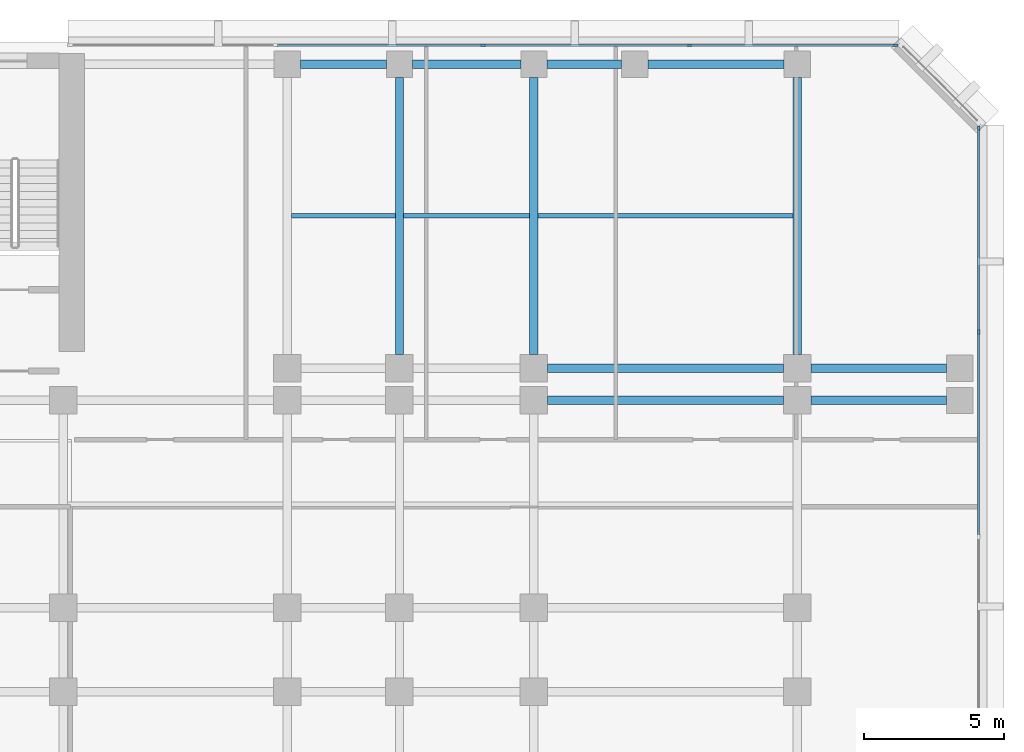
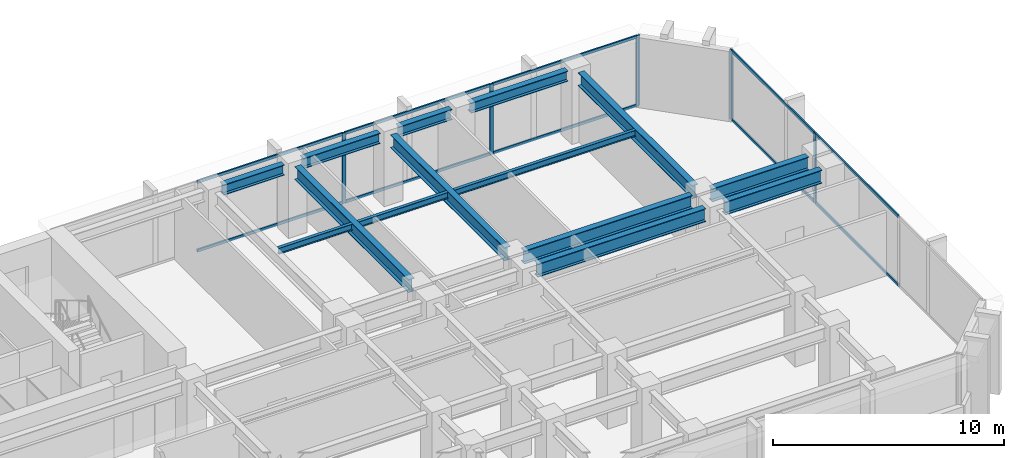
# One storey, part 5 of 13: 15 members, 14 beams, 2 elements without a shape of their own.
"""IFC4 building model written with IfcOpenShell, lengths in metres."""

from ifc_helpers import new_model, si_unit, direction, frame, origin, origin_2d, place, context, subcontext, project, spatial, rectangle, i_section, extrude, material, layer, layer_set, material_profile, profile_set, type_object, element, aggregate, save


model = new_model("IFC4")

# Units and contexts
model_context = context("Model", 3, precision=1e-05, world=origin(), true_north=direction((0.0, 1.0)))
body_context = subcontext(model_context, "Body", "Model", "MODEL_VIEW")
ifc_project = project(units=[si_unit("LENGTHUNIT", "METRE"), si_unit("AREAUNIT", "SQUARE_METRE"), si_unit("VOLUMEUNIT", "CUBIC_METRE"), si_unit("PLANEANGLEUNIT", "RADIAN"), si_unit("MASSUNIT", "GRAM", prefix="KILO")], contexts=[model_context])

# Site, building, storey
site_placement = place(None, origin())
site = spatial("IfcSite", under=ifc_project, at=site_placement, CompositionType="ELEMENT")
building_placement = place(site_placement, origin())
building = spatial("IfcBuilding", under=site, at=building_placement, Name="Kefirva Bronze Tower", CompositionType="ELEMENT")
storey_placement = place(building_placement, frame((0.0, 0.0, 73.919921875)))
storey = spatial("IfcBuildingStorey", under=building, at=storey_placement, Name="L17", CompositionType="ELEMENT", Elevation=73.919921875)

# Curtain wall, members
ifc_material_1 = material(Name="Bronze anodised aluminium", Category="aluminium")
ifc_layer = layer(ifc_material_1, 0.199951171875, Name="Bronze anodised aluminium")
ifc_layer_set = layer_set([ifc_layer], Name="Bronze anodised aluminium")
curtain_wall_type = type_object("IfcCurtainWallType", Name="Unitised Bronze Ribbon Curtain Wall Zone 1", PredefinedType="USERDEFINED", material=ifc_layer_set)
curtain_wall_1_placement = place(storey_placement, origin())
curtain_wall_1 = element("IfcCurtainWall", 1, at=curtain_wall_1_placement, inside=storey, type_object=curtain_wall_type, Name="L17 Curtain Wall 3", ObjectType="UNITISED CURTAIN WALL", PredefinedType="USERDEFINED")
ifc_material_profile_1 = material_profile(ifc_material_1, rectangle(XDim=0.074951171875, YDim=0.179931640625, at=origin_2d()), Name="ALU 75x180")
ifc_profile_set_1 = profile_set([ifc_material_profile_1], Name="Bronze anodised aluminium")
member_type_1 = type_object("IfcMemberType", Name="Bronze Mullion 75x180", PredefinedType="MULLION", material=ifc_profile_set_1)
member_1_placement = place(storey_placement, frame((55.8798828125, 35.6484375, 0.0), z_axis=(0.0, 0.0, 1.0), x_axis=(-1.0, 0.0, 0.0)))
member_1 = element("IfcMember", 2, at=member_1_placement, type_object=member_type_1, Name="CW-01 mullion 3", PredefinedType="MULLION", context=body_context, shape_type="SweptSolid", body=[
    extrude(rectangle(XDim=0.074951171875, YDim=0.179931640625, at=origin_2d()), origin(), (0.0, 0.0, 1.0), 3.7099609375),
])
member_2_placement = place(storey_placement, frame((55.8798828125, 42.907470703125, 0.0), z_axis=(0.0, 0.0, 1.0), x_axis=(-1.0, 0.0, 0.0)))
member_2 = element("IfcMember", 3, at=member_2_placement, type_object=member_type_1, Name="CW-01 mullion 4", PredefinedType="MULLION", context=body_context, shape_type="SweptSolid", body=[
    extrude(rectangle(XDim=0.074951171875, YDim=0.179931640625, at=origin_2d()), origin(), (0.0, 0.0, 1.0), 3.7099609375),
])

curtain_wall_2_placement = place(storey_placement, origin())
curtain_wall_2 = element("IfcCurtainWall", 4, at=curtain_wall_2_placement, inside=storey, type_object=curtain_wall_type, Name="L17 Curtain Wall 4", ObjectType="UNITISED CURTAIN WALL", PredefinedType="USERDEFINED")
member_3_placement = place(storey_placement, frame((52.907470703125, 45.8798828125, 0.0), z_axis=(0.0, 0.0, 1.0), x_axis=(0.0, -1.0, 0.0)))
member_3 = element("IfcMember", 5, at=member_3_placement, type_object=member_type_1, Name="CW-01 mullion 1", PredefinedType="MULLION", context=body_context, shape_type="SweptSolid", body=[
    extrude(rectangle(XDim=0.074951171875, YDim=0.179931640625, at=origin_2d()), origin(), (0.0, 0.0, 1.0), 3.7099609375),
])
member_4_placement = place(storey_placement, frame((45.56005859375, 45.8798828125, 0.0), z_axis=(0.0, 0.0, 1.0), x_axis=(0.0, -1.0, 0.0)))
member_4 = element("IfcMember", 6, at=member_4_placement, type_object=member_type_1, Name="CW-01 mullion 2", PredefinedType="MULLION", context=body_context, shape_type="SweptSolid", body=[
    extrude(rectangle(XDim=0.074951171875, YDim=0.179931640625, at=origin_2d()), origin(), (0.0, 0.0, 1.0), 3.7099609375),
])
member_5_placement = place(storey_placement, frame((38.175048828125, 45.8798828125, 0.0), z_axis=(0.0, 0.0, 1.0), x_axis=(0.0, -1.0, 0.0)))
member_5 = element("IfcMember", 7, at=member_5_placement, type_object=member_type_1, Name="CW-01 mullion 3", PredefinedType="MULLION", context=body_context, shape_type="SweptSolid", body=[
    extrude(rectangle(XDim=0.074951171875, YDim=0.179931640625, at=origin_2d()), origin(), (0.0, 0.0, 1.0), 3.7099609375),
])

# Member
ifc_material_profile_2 = material_profile(ifc_material_1, rectangle(XDim=0.074951171875, YDim=0.14990234375, at=origin_2d()), Name="ALU 75x150")
ifc_profile_set_2 = profile_set([ifc_material_profile_2], Name="Bronze anodised aluminium")
member_type_2 = type_object("IfcMemberType", Name="Bronze Transom 75x150", PredefinedType="USERDEFINED", material=ifc_profile_set_2)
member_6_placement = place(storey_placement, frame((55.8798828125, 28.38916015625, 0.03759765625), z_axis=(0.0, 1.0, 0.0), x_axis=(-1.0, 0.0, 0.0)))
member_6 = element("IfcMember", 8, at=member_6_placement, type_object=member_type_2, Name="CW-01 transom 2.1", ObjectType="TRANSOM", PredefinedType="USERDEFINED", context=body_context, shape_type="SweptSolid", body=[
    extrude(rectangle(XDim=0.074951171875, YDim=0.14990234375, at=origin_2d()), origin(), (0.0, 0.0, 1.0), 7.2216796875),
])

member_7_placement = place(storey_placement, frame((55.8798828125, 28.38916015625, 3.672607421875), z_axis=(0.0, 1.0, 0.0), x_axis=(-1.0, 0.0, 0.0)))
member_7 = element("IfcMember", 9, at=member_7_placement, type_object=member_type_2, Name="CW-01 transom 2.2", ObjectType="TRANSOM", PredefinedType="USERDEFINED", context=body_context, shape_type="SweptSolid", body=[
    extrude(rectangle(XDim=0.074951171875, YDim=0.14990234375, at=origin_2d()), origin(), (0.0, 0.0, 1.0), 7.2216796875),
])

member_8_placement = place(storey_placement, frame((55.8798828125, 35.685791015625, 0.03759765625), z_axis=(0.0, 1.0, 0.0), x_axis=(-1.0, 0.0, 0.0)))
member_8 = element("IfcMember", 10, at=member_8_placement, type_object=member_type_2, Name="CW-01 transom 3.1", ObjectType="TRANSOM", PredefinedType="USERDEFINED", context=body_context, shape_type="SweptSolid", body=[
    extrude(rectangle(XDim=0.074951171875, YDim=0.14990234375, at=origin_2d()), origin(), (0.0, 0.0, 1.0), 7.184326171875),
])

member_9_placement = place(storey_placement, frame((55.8798828125, 35.685791015625, 3.672607421875), z_axis=(0.0, 1.0, 0.0), x_axis=(-1.0, 0.0, 0.0)))
member_9 = element("IfcMember", 11, at=member_9_placement, type_object=member_type_2, Name="CW-01 transom 3.2", ObjectType="TRANSOM", PredefinedType="USERDEFINED", context=body_context, shape_type="SweptSolid", body=[
    extrude(rectangle(XDim=0.074951171875, YDim=0.14990234375, at=origin_2d()), origin(), (0.0, 0.0, 1.0), 7.184326171875),
])

aggregate(curtain_wall_1, [member_1, member_2, member_6, member_7, member_8, member_9])

member_10_placement = place(storey_placement, frame((52.8701171875, 45.8798828125, 0.03759765625), z_axis=(-1.0, 0.0, 0.0), x_axis=(0.0, -1.0, 0.0)))
member_10 = element("IfcMember", 12, at=member_10_placement, type_object=member_type_2, Name="CW-01 transom 1.1", ObjectType="TRANSOM", PredefinedType="USERDEFINED", context=body_context, shape_type="SweptSolid", body=[
    extrude(rectangle(XDim=0.074951171875, YDim=0.14990234375, at=origin_2d()), origin(), (0.0, 0.0, 1.0), 7.272705078125),
])

member_11_placement = place(storey_placement, frame((52.8701171875, 45.8798828125, 3.672607421875), z_axis=(-1.0, 0.0, 0.0), x_axis=(0.0, -1.0, 0.0)))
member_11 = element("IfcMember", 13, at=member_11_placement, type_object=member_type_2, Name="CW-01 transom 1.2", ObjectType="TRANSOM", PredefinedType="USERDEFINED", context=body_context, shape_type="SweptSolid", body=[
    extrude(rectangle(XDim=0.074951171875, YDim=0.14990234375, at=origin_2d()), origin(), (0.0, 0.0, 1.0), 7.272705078125),
])

member_12_placement = place(storey_placement, frame((45.5224609375, 45.8798828125, 0.03759765625), z_axis=(-1.0, 0.0, 0.0), x_axis=(0.0, -1.0, 0.0)))
member_12 = element("IfcMember", 14, at=member_12_placement, type_object=member_type_2, Name="CW-01 transom 2.1", ObjectType="TRANSOM", PredefinedType="USERDEFINED", context=body_context, shape_type="SweptSolid", body=[
    extrude(rectangle(XDim=0.074951171875, YDim=0.14990234375, at=origin_2d()), origin(), (0.0, 0.0, 1.0), 7.31005859375),
])

member_13_placement = place(storey_placement, frame((45.5224609375, 45.8798828125, 3.672607421875), z_axis=(-1.0, 0.0, 0.0), x_axis=(0.0, -1.0, 0.0)))
member_13 = element("IfcMember", 15, at=member_13_placement, type_object=member_type_2, Name="CW-01 transom 2.2", ObjectType="TRANSOM", PredefinedType="USERDEFINED", context=body_context, shape_type="SweptSolid", body=[
    extrude(rectangle(XDim=0.074951171875, YDim=0.14990234375, at=origin_2d()), origin(), (0.0, 0.0, 1.0), 7.31005859375),
])

member_14_placement = place(storey_placement, frame((38.137451171875, 45.8798828125, 0.03759765625), z_axis=(-1.0, 0.0, 0.0), x_axis=(0.0, -1.0, 0.0)))
member_14 = element("IfcMember", 16, at=member_14_placement, type_object=member_type_2, Name="CW-01 transom 3.1", ObjectType="TRANSOM", PredefinedType="USERDEFINED", context=body_context, shape_type="SweptSolid", body=[
    extrude(rectangle(XDim=0.074951171875, YDim=0.14990234375, at=origin_2d()), origin(), (0.0, 0.0, 1.0), 7.31005859375),
])

member_15_placement = place(storey_placement, frame((38.137451171875, 45.8798828125, 3.672607421875), z_axis=(-1.0, 0.0, 0.0), x_axis=(0.0, -1.0, 0.0)))
member_15 = element("IfcMember", 17, at=member_15_placement, type_object=member_type_2, Name="CW-01 transom 3.2", ObjectType="TRANSOM", PredefinedType="USERDEFINED", context=body_context, shape_type="SweptSolid", body=[
    extrude(rectangle(XDim=0.074951171875, YDim=0.14990234375, at=origin_2d()), origin(), (0.0, 0.0, 1.0), 7.31005859375),
])

aggregate(curtain_wall_2, [member_3, member_4, member_5, member_10, member_11, member_12, member_13, member_14, member_15])

# Beams
ifc_material_2 = material(Name="Steel S355", Category="steel")
ifc_material_profile_3 = material_profile(ifc_material_2, i_section(OverallWidth=0.159912109375, OverallDepth=0.330078125, WebThickness=0.007568359375, FlangeThickness=0.011474609375, at=origin_2d()), Name="IPE 330")
ifc_profile_set_3 = profile_set([ifc_material_profile_3], Name="Steel S355")
beam_type_1 = type_object("IfcBeamType", Name="Steel Floor Joist IPE 330", PredefinedType="JOIST", material=ifc_profile_set_3)
beam_1_placement = place(storey_placement, frame((31.35009765625, 39.784912109375, 3.545166015625), z_axis=(1.0, 0.0, 0.0), x_axis=(0.0, 1.0, 0.0)))
element("IfcBeam", 18, at=beam_1_placement, inside=storey, type_object=beam_type_1, Name="L17 JST-L17-31-397", PredefinedType="JOIST", context=body_context, shape_type="SweptSolid", body=[
    extrude(i_section(OverallWidth=0.159912109375, OverallDepth=0.330078125, WebThickness=0.007568359375, FlangeThickness=0.011474609375, at=origin_2d()), origin(), (0.0, 0.0, 1.0), 3.699951171875),
])
beam_2_placement = place(storey_placement, frame((35.35009765625, 39.784912109375, 3.545166015625), z_axis=(1.0, 0.0, 0.0), x_axis=(0.0, 1.0, 0.0)))
element("IfcBeam", 19, at=beam_2_placement, inside=storey, type_object=beam_type_1, Name="L17 JST-L17-35-397", PredefinedType="JOIST", context=body_context, shape_type="SweptSolid", body=[
    extrude(i_section(OverallWidth=0.159912109375, OverallDepth=0.330078125, WebThickness=0.007568359375, FlangeThickness=0.011474609375, at=origin_2d()), origin(), (0.0, 0.0, 1.0), 4.5),
])
beam_3_placement = place(storey_placement, frame((40.14990234375, 39.784912109375, 3.545166015625), z_axis=(1.0, 0.0, 0.0), x_axis=(0.0, 1.0, 0.0)))
element("IfcBeam", 20, at=beam_3_placement, inside=storey, type_object=beam_type_1, Name="L17 JST-L17-40-397", PredefinedType="JOIST", context=body_context, shape_type="SweptSolid", body=[
    extrude(i_section(OverallWidth=0.159912109375, OverallDepth=0.330078125, WebThickness=0.007568359375, FlangeThickness=0.011474609375, at=origin_2d()), origin(), (0.0, 0.0, 1.0), 9.10009765625),
])
ifc_material_profile_4 = material_profile(ifc_material_2, i_section(OverallWidth=0.300048828125, OverallDepth=0.699951171875, WebThickness=0.01708984375, FlangeThickness=0.031982421875, at=origin_2d()), Name="HEB 700")
ifc_profile_set_4 = profile_set([ifc_material_profile_4], Name="Steel S355")
beam_type_2 = type_object("IfcBeamType", Name="Steel Girder HEB 700", PredefinedType="USERDEFINED", material=ifc_profile_set_4)
beam_4_placement = place(storey_placement, frame((40.489990234375, 33.199951171875, 3.360107421875), z_axis=(1.0, 0.0, 0.0), x_axis=(0.0, 1.0, 0.0)))
element("IfcBeam", 21, at=beam_4_placement, inside=storey, type_object=beam_type_2, Name="L17 BM-L17-EW-40-332", ObjectType="GIRDER", PredefinedType="USERDEFINED", context=body_context, shape_type="SweptSolid", body=[
    extrude(i_section(OverallWidth=0.300048828125, OverallDepth=0.699951171875, WebThickness=0.01708984375, FlangeThickness=0.031982421875, at=origin_2d()), origin(), (0.0, 0.0, 1.0), 8.419921875),
])
beam_5_placement = place(storey_placement, frame((49.889892578125, 33.199951171875, 3.360107421875), z_axis=(1.0, 0.0, 0.0), x_axis=(0.0, 1.0, 0.0)))
element("IfcBeam", 22, at=beam_5_placement, inside=storey, type_object=beam_type_2, Name="L17 BM-L17-EW-49-332", ObjectType="GIRDER", PredefinedType="USERDEFINED", context=body_context, shape_type="SweptSolid", body=[
    extrude(i_section(OverallWidth=0.300048828125, OverallDepth=0.699951171875, WebThickness=0.01708984375, FlangeThickness=0.031982421875, at=origin_2d()), origin(), (0.0, 0.0, 1.0), 4.840087890625),
])
beam_6_placement = place(storey_placement, frame((40.489990234375, 34.35009765625, 3.360107421875), z_axis=(1.0, 0.0, 0.0), x_axis=(0.0, 1.0, 0.0)))
element("IfcBeam", 23, at=beam_6_placement, inside=storey, type_object=beam_type_2, Name="L17 BM-L17-EW-40-344", ObjectType="GIRDER", PredefinedType="USERDEFINED", context=body_context, shape_type="SweptSolid", body=[
    extrude(i_section(OverallWidth=0.300048828125, OverallDepth=0.699951171875, WebThickness=0.01708984375, FlangeThickness=0.031982421875, at=origin_2d()), origin(), (0.0, 0.0, 1.0), 8.419921875),
])
beam_7_placement = place(storey_placement, frame((49.889892578125, 34.35009765625, 3.360107421875), z_axis=(1.0, 0.0, 0.0), x_axis=(0.0, 1.0, 0.0)))
element("IfcBeam", 24, at=beam_7_placement, inside=storey, type_object=beam_type_2, Name="L17 BM-L17-EW-49-344", ObjectType="GIRDER", PredefinedType="USERDEFINED", context=body_context, shape_type="SweptSolid", body=[
    extrude(i_section(OverallWidth=0.300048828125, OverallDepth=0.699951171875, WebThickness=0.01708984375, FlangeThickness=0.031982421875, at=origin_2d()), origin(), (0.0, 0.0, 1.0), 4.840087890625),
])
for number, where, z_axis, x_axis, name in (
    (25, (35.199951171875, 34.840087890625, 3.360107421875), (0.0, 1.0, 0.0), (-1.0, 0.0, 0.0), "L17 BM-L17-NS-352-34"),
    (26, (40.0, 34.840087890625, 3.360107421875), (0.0, 1.0, 0.0), (-1.0, 0.0, 0.0), "L17 BM-L17-NS-400-34"),
    (27, (49.39990234375, 34.840087890625, 3.360107421875), (0.0, 1.0, 0.0), (-1.0, 0.0, 0.0), "L17 BM-L17-NS-494-34"),
):
    element("IfcBeam", number, at=place(storey_placement, frame(where, z_axis=z_axis, x_axis=x_axis)), inside=storey, type_object=beam_type_2, Name=name, ObjectType="GIRDER", PredefinedType="USERDEFINED", context=body_context, shape_type="SweptSolid", body=[
        extrude(i_section(OverallWidth=0.300048828125, OverallDepth=0.699951171875, WebThickness=0.01708984375, FlangeThickness=0.031982421875, at=origin_2d()), origin(), (0.0, 0.0, 1.0), 9.889892578125),
    ])
ifc_material_profile_5 = material_profile(ifc_material_2, i_section(OverallWidth=0.300048828125, OverallDepth=0.550048828125, WebThickness=0.014892578125, FlangeThickness=0.029052734375, at=origin_2d()), Name="HEB 550")
ifc_profile_set_5 = profile_set([ifc_material_profile_5], Name="Steel S355")
beam_type_3 = type_object("IfcBeamType", Name="Steel Spandrel HEB 550 Ext", PredefinedType="SPANDREL", material=ifc_profile_set_5)
beam_8_placement = place(storey_placement, frame((31.669921875, 45.199951171875, 3.43505859375), z_axis=(1.0, 0.0, 0.0), x_axis=(0.0, 1.0, 0.0)))
element("IfcBeam", 28, at=beam_8_placement, inside=storey, type_object=beam_type_3, Name="L17 BM-L17-EW-31-452", PredefinedType="SPANDREL", context=body_context, shape_type="SweptSolid", body=[
    extrude(i_section(OverallWidth=0.300048828125, OverallDepth=0.550048828125, WebThickness=0.014892578125, FlangeThickness=0.029052734375, at=origin_2d()), origin(), (0.0, 0.0, 1.0), 3.06005859375),
])
beam_9_placement = place(storey_placement, frame((35.669921875, 45.199951171875, 3.43505859375), z_axis=(1.0, 0.0, 0.0), x_axis=(0.0, 1.0, 0.0)))
element("IfcBeam", 29, at=beam_9_placement, inside=storey, type_object=beam_type_3, Name="L17 BM-L17-EW-35-452", PredefinedType="SPANDREL", context=body_context, shape_type="SweptSolid", body=[
    extrude(i_section(OverallWidth=0.300048828125, OverallDepth=0.550048828125, WebThickness=0.014892578125, FlangeThickness=0.029052734375, at=origin_2d()), origin(), (0.0, 0.0, 1.0), 3.860107421875),
])
beam_10_placement = place(storey_placement, frame((40.469970703125, 45.199951171875, 3.43505859375), z_axis=(1.0, 0.0, 0.0), x_axis=(0.0, 1.0, 0.0)))
element("IfcBeam", 30, at=beam_10_placement, inside=storey, type_object=beam_type_3, Name="L17 BM-L17-EW-40-452", PredefinedType="SPANDREL", context=body_context, shape_type="SweptSolid", body=[
    extrude(i_section(OverallWidth=0.300048828125, OverallDepth=0.550048828125, WebThickness=0.014892578125, FlangeThickness=0.029052734375, at=origin_2d()), origin(), (0.0, 0.0, 1.0), 2.659912109375),
])
beam_11_placement = place(storey_placement, frame((44.070068359375, 45.199951171875, 3.43505859375), z_axis=(1.0, 0.0, 0.0), x_axis=(0.0, 1.0, 0.0)))
element("IfcBeam", 31, at=beam_11_placement, inside=storey, type_object=beam_type_3, Name="L17 BM-L17-EW-43-452", PredefinedType="SPANDREL", context=body_context, shape_type="SweptSolid", body=[
    extrude(i_section(OverallWidth=0.300048828125, OverallDepth=0.550048828125, WebThickness=0.014892578125, FlangeThickness=0.029052734375, at=origin_2d()), origin(), (0.0, 0.0, 1.0), 4.85986328125),
])

save(model, "model.ifc")
